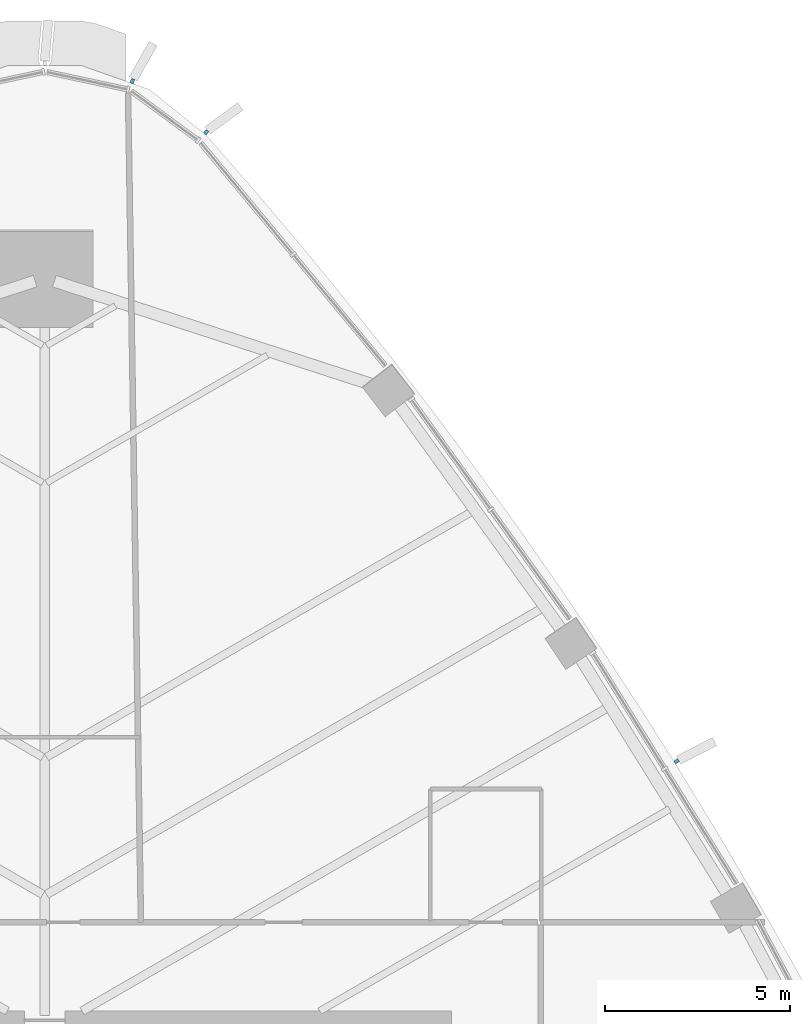
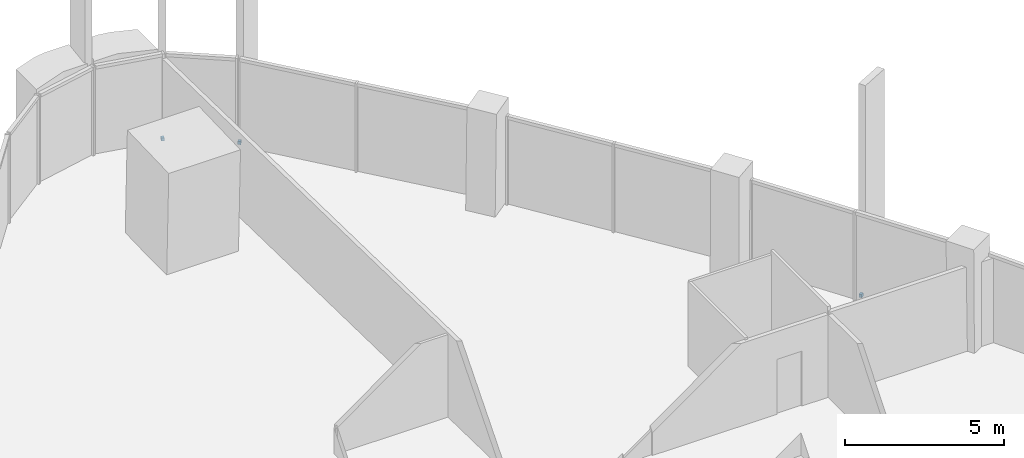
# One storey, part 16 of 20: 3 discrete accessories.
"""IFC4 building model written with IfcOpenShell, lengths in metres."""

from ifc_helpers import new_model, si_unit, direction, frame, origin, origin_2d, place, context, subcontext, project, spatial, rectangle, extrude, material, type_object, element, save


model = new_model("IFC4")

# Units and contexts
model_context = context("Model", 3, precision=1e-05, world=origin(), true_north=direction((0.0, 1.0)))
body_context = subcontext(model_context, "Body", "Model", "MODEL_VIEW")
ifc_project = project(units=[si_unit("LENGTHUNIT", "METRE"), si_unit("AREAUNIT", "SQUARE_METRE"), si_unit("VOLUMEUNIT", "CUBIC_METRE"), si_unit("PLANEANGLEUNIT", "RADIAN"), si_unit("MASSUNIT", "GRAM", prefix="KILO")], contexts=[model_context])

# Site, building, storey
site_placement = place(None, origin())
site = spatial("IfcSite", under=ifc_project, at=site_placement, CompositionType="ELEMENT")
building_placement = place(site_placement, origin())
building = spatial("IfcBuilding", under=site, at=building_placement, Name="Sierra Prisma Convention Tower", CompositionType="ELEMENT")
storey_placement = place(building_placement, frame((0.0, 0.0, 161.800048828125)))
storey = spatial("IfcBuildingStorey", under=building, at=storey_placement, Name="L35", CompositionType="ELEMENT", Elevation=161.800048828125)

# Discrete accessories
ifc_material = material(Name="Stainless steel 316", Category="steel")
discrete_accessory_type = type_object("IfcDiscreteAccessoryType", Name="Fin bracket", PredefinedType="BRACKET", material=ifc_material)
for number, where, z_axis, x_axis, name in (
    (1, (17.07470703125, 14.747802734375, -0.135009765625), (0.0, 0.0, 1.0), (0.845952818628, 0.533257750676, 0.0), "Fin bracket L35.32 base"),
    (2, (4.364990234375, 31.75048828125, -0.135009765625), (0.0, 0.0, 1.0), (0.625794607665, 0.779987890302, 0.0), "Fin bracket L35.39 base"),
    (3, (2.369873046875, 33.13037109375, -0.135009765625), (0.0, 0.0, 1.0), (0.33167160693, 0.943394904139, 0.0), "Fin bracket L35.40 base"),
):
    element("IfcDiscreteAccessory", number, at=place(storey_placement, frame(where, z_axis=z_axis, x_axis=x_axis)), inside=storey, type_object=discrete_accessory_type, Name=name, PredefinedType="BRACKET", context=body_context, shape_type="SweptSolid", body=[
        extrude(rectangle(XDim=0.1201171875, YDim=0.10009765625, at=origin_2d()), origin(), (0.0, 0.0, 1.0), 0.1201171875),
    ])

save(model, "model.ifc")
